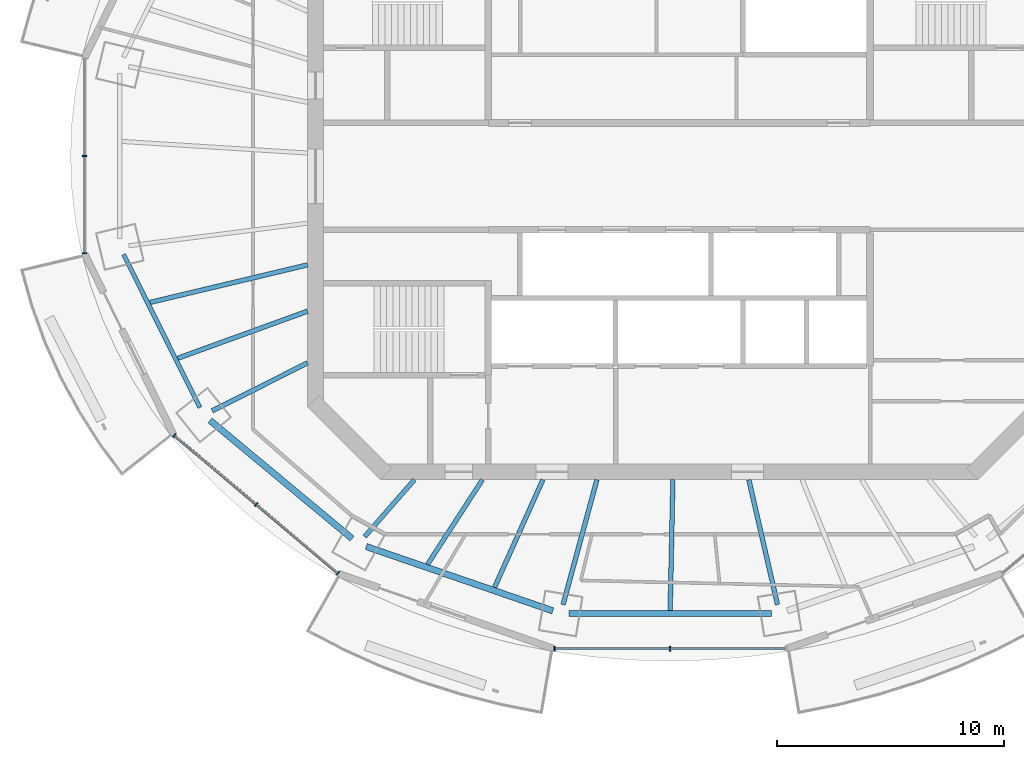
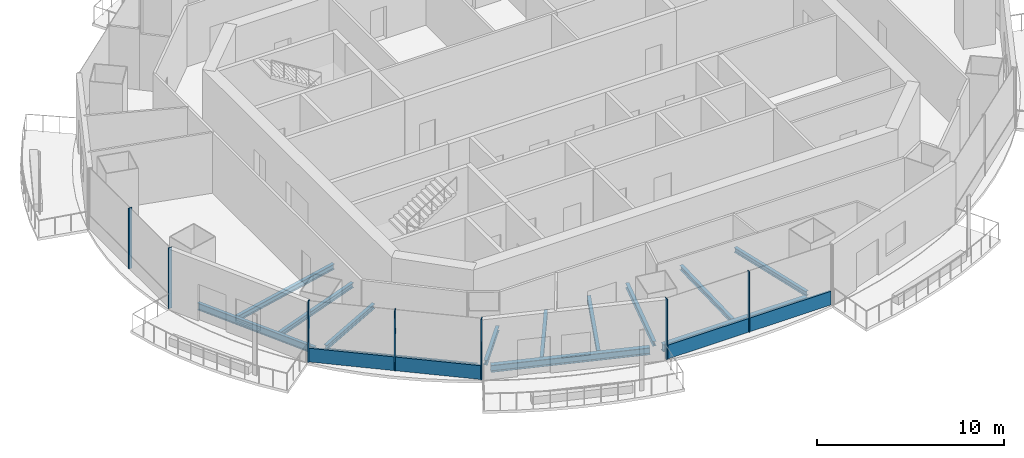
# One storey, part 2 of 16: 13 beams, 9 members, 3 elements without a shape of their own.
"""IFC4 building model written with IfcOpenShell, lengths in metres."""

from ifc_helpers import new_model, si_unit, direction, frame, origin, origin_2d, place, context, subcontext, project, spatial, rectangle, i_section, extrude, material, material_profile, profile_set, type_object, element, aggregate, save


model = new_model("IFC4")

# Units and contexts
model_context = context("Model", 3, precision=1e-05, world=origin(), true_north=direction((0.0, 1.0)))
body_context = subcontext(model_context, "Body", "Model", "MODEL_VIEW")
ifc_project = project(units=[si_unit("LENGTHUNIT", "METRE"), si_unit("AREAUNIT", "SQUARE_METRE"), si_unit("VOLUMEUNIT", "CUBIC_METRE"), si_unit("PLANEANGLEUNIT", "RADIAN"), si_unit("MASSUNIT", "GRAM", prefix="KILO")], contexts=[model_context])

# Site, building, storey
site_placement = place(None, origin())
site = spatial("IfcSite", under=ifc_project, at=site_placement, CompositionType="ELEMENT")
building_placement = place(site_placement, origin())
building = spatial("IfcBuilding", under=site, at=building_placement, Name="Marenthal Gate Tower", CompositionType="ELEMENT")
storey_placement = place(building_placement, frame((0.0, 0.0, 359.199951171875)))
storey = spatial("IfcBuildingStorey", under=building, at=storey_placement, Name="L81", CompositionType="ELEMENT", Elevation=359.199951171875)

# Curtain wall, members
ifc_material_1 = material(Name="Aluminium and glass", Category="aluminium")
curtain_wall_type = type_object("IfcCurtainWallType", Name="Curtain wall typical high", PredefinedType="NOTDEFINED", material=ifc_material_1)
curtain_wall_1_placement = place(storey_placement, origin())
curtain_wall_1 = element("IfcCurtainWall", 1, at=curtain_wall_1_placement, inside=storey, type_object=curtain_wall_type, Name="Curtain wall L81 bay 8", PredefinedType="NOTDEFINED")
ifc_material_2 = material(Name="Aluminium", Category="aluminium")
ifc_material_profile_1 = material_profile(ifc_material_2, rectangle(XDim=0.199951171875, YDim=0.06005859375, at=origin_2d()), Name="60x200 aluminium mullion")
ifc_profile_set_1 = profile_set([ifc_material_profile_1], Name="Aluminium")
member_type_1 = type_object("IfcMemberType", Name="Mullion 60x200 typical high", PredefinedType="MULLION", material=ifc_profile_set_1)
member_1_placement = place(storey_placement, frame((-26.160400390625, 0.89990234375, 0.0), z_axis=(0.0, 0.0, 1.0), x_axis=(1.0, 0.0, 0.0)))
member_1 = element("IfcMember", 2, at=member_1_placement, type_object=member_type_1, Name="Mullion L81 bay 8.2", PredefinedType="MULLION", context=body_context, shape_type="SweptSolid", body=[
    extrude(rectangle(XDim=0.199951171875, YDim=0.06005859375, at=origin_2d()), origin(), (0.0, 0.0, 1.0), 3.969970703125),
])
member_2_placement = place(storey_placement, frame((-26.160400390625, -3.383544921875, 0.0), z_axis=(0.0, 0.0, 1.0), x_axis=(1.0, 0.0, 0.0)))
member_2 = element("IfcMember", 3, at=member_2_placement, type_object=member_type_1, Name="Mullion L81 bay 8.3", PredefinedType="MULLION", context=body_context, shape_type="SweptSolid", body=[
    extrude(rectangle(XDim=0.199951171875, YDim=0.06005859375, at=origin_2d()), origin(), (0.0, 0.0, 1.0), 3.969970703125),
])
aggregate(curtain_wall_1, [member_1, member_2])

curtain_wall_2_placement = place(storey_placement, origin())
curtain_wall_2 = element("IfcCurtainWall", 4, at=curtain_wall_2_placement, inside=storey, type_object=curtain_wall_type, Name="Curtain wall L81 bay 10", PredefinedType="NOTDEFINED")
member_3_placement = place(storey_placement, frame((-22.215576171875, -11.403564453125, 0.0), z_axis=(0.0, 0.0, 1.0), x_axis=(0.644022605429, 0.765006459905, 0.0)))
member_3 = element("IfcMember", 5, at=member_3_placement, type_object=member_type_1, Name="Mullion L81 bay 10.1", PredefinedType="MULLION", context=body_context, shape_type="SweptSolid", body=[
    extrude(rectangle(XDim=0.199951171875, YDim=0.06005859375, at=origin_2d()), origin(), (0.0, 0.0, 1.0), 3.969970703125),
])
member_4_placement = place(storey_placement, frame((-18.615234375, -14.434326171875, 0.0), z_axis=(0.0, 0.0, 1.0), x_axis=(0.644022605429, 0.765006459905, 0.0)))
member_4 = element("IfcMember", 6, at=member_4_placement, type_object=member_type_1, Name="Mullion L81 bay 10.2", PredefinedType="MULLION", context=body_context, shape_type="SweptSolid", body=[
    extrude(rectangle(XDim=0.199951171875, YDim=0.06005859375, at=origin_2d()), origin(), (0.0, 0.0, 1.0), 3.969970703125),
])
member_5_placement = place(storey_placement, frame((-15.01513671875, -17.46533203125, 0.0), z_axis=(0.0, 0.0, 1.0), x_axis=(0.644022605429, 0.765006459905, 0.0)))
member_5 = element("IfcMember", 7, at=member_5_placement, type_object=member_type_1, Name="Mullion L81 bay 10.3", PredefinedType="MULLION", context=body_context, shape_type="SweptSolid", body=[
    extrude(rectangle(XDim=0.199951171875, YDim=0.06005859375, at=origin_2d()), origin(), (0.0, 0.0, 1.0), 3.969970703125),
])

curtain_wall_3_placement = place(storey_placement, origin())
curtain_wall_3 = element("IfcCurtainWall", 8, at=curtain_wall_3_placement, inside=storey, type_object=curtain_wall_type, Name="Curtain wall L81 bay 12", PredefinedType="NOTDEFINED")
member_6_placement = place(storey_placement, frame((-5.493896484375, -20.7861328125, 0.0), z_axis=(0.0, 0.0, 1.0), x_axis=(0.0, 1.0, 0.0)))
member_6 = element("IfcMember", 9, at=member_6_placement, type_object=member_type_1, Name="Mullion L81 bay 12.1", PredefinedType="MULLION", context=body_context, shape_type="SweptSolid", body=[
    extrude(rectangle(XDim=0.199951171875, YDim=0.06005859375, at=origin_2d()), origin(), (0.0, 0.0, 1.0), 3.969970703125),
])
member_7_placement = place(storey_placement, frame((-0.39990234375, -20.7861328125, 0.0), z_axis=(0.0, 0.0, 1.0), x_axis=(0.0, 1.0, 0.0)))
member_7 = element("IfcMember", 10, at=member_7_placement, type_object=member_type_1, Name="Mullion L81 bay 12.2", PredefinedType="MULLION", context=body_context, shape_type="SweptSolid", body=[
    extrude(rectangle(XDim=0.199951171875, YDim=0.06005859375, at=origin_2d()), origin(), (0.0, 0.0, 1.0), 3.969970703125),
])

# Member
ifc_material_3 = material(Name="Aluminium", Category="aluminium")
ifc_material_profile_2 = material_profile(ifc_material_3, rectangle(XDim=0.1201171875, YDim=0.89990234375, at=origin_2d()), Name="120x900 aluminium transom")
ifc_profile_set_2 = profile_set([ifc_material_profile_2], Name="Aluminium")
member_type_2 = type_object("IfcMemberType", Name="Transom 120x900 typical high", PredefinedType="USERDEFINED", material=ifc_profile_set_2)
member_8_placement = place(storey_placement, frame((-22.192626953125, -11.4228515625, 0.449951171875), z_axis=(0.764999870882, -0.644030432162, 0.0), x_axis=(0.644030432162, 0.764999870882, 0.0)))
member_8 = element("IfcMember", 11, at=member_8_placement, type_object=member_type_2, Name="Transom L81 bay 10", ObjectType="TRANSOM", PredefinedType="USERDEFINED", context=body_context, shape_type="SweptSolid", body=[
    extrude(rectangle(XDim=0.1201171875, YDim=0.89990234375, at=origin_2d()), origin(), (0.0, 0.0, 1.0), 9.352294921875),
])

aggregate(curtain_wall_2, [member_3, member_4, member_5, member_8])

member_9_placement = place(storey_placement, frame((-5.464111328125, -20.7861328125, 0.449951171875), z_axis=(1.0, 0.0, 0.0), x_axis=(0.0, 1.0, 0.0)))
member_9 = element("IfcMember", 12, at=member_9_placement, type_object=member_type_2, Name="Transom L81 bay 12", ObjectType="TRANSOM", PredefinedType="USERDEFINED", context=body_context, shape_type="SweptSolid", body=[
    extrude(rectangle(XDim=0.1201171875, YDim=0.89990234375, at=origin_2d()), origin(), (0.0, 0.0, 1.0), 10.128173828125),
])

aggregate(curtain_wall_3, [member_6, member_7, member_9])

# Beams
ifc_material_4 = material(Name="Steel S355", Category="steel")
ifc_material_profile_3 = material_profile(ifc_material_4, i_section(OverallWidth=0.202880859375, OverallDepth=0.302001953125, WebThickness=0.007568359375, FlangeThickness=0.01318359375, FilletRadius=0.0126953125, at=origin_2d()), Name="W310X60")
ifc_profile_set_3 = profile_set([ifc_material_profile_3], Name="Steel S355")
beam_type_1 = type_object("IfcBeamType", Name="W310X60 beam", PredefinedType="BEAM", material=ifc_profile_set_3)
beam_1_placement = place(storey_placement, frame((-11.06982421875, -17.072265625, -0.3310546875), z_axis=(0.544024630078, 0.839069247362, 0.0), x_axis=(-0.839069247362, 0.544024630078, 0.0)))
element("IfcBeam", 13, at=beam_1_placement, inside=storey, type_object=beam_type_1, Name="BM-L81-31", PredefinedType="BEAM", context=body_context, shape_type="SweptSolid", body=[
    extrude(i_section(OverallWidth=0.202880859375, OverallDepth=0.302001953125, WebThickness=0.007568359375, FlangeThickness=0.01318359375, FilletRadius=0.0126953125, at=origin_2d()), origin(), (0.0, 0.0, 1.0), 4.43603515625),
])
beam_2_placement = place(storey_placement, frame((-8.12451171875, -18.0869140625, -0.3310546875), z_axis=(0.409742917425, 0.912201042326, 0.0), x_axis=(-0.912201042326, 0.409742917425, 0.0)))
element("IfcBeam", 14, at=beam_2_placement, inside=storey, type_object=beam_type_1, Name="BM-L81-32", PredefinedType="BEAM", context=body_context, shape_type="SweptSolid", body=[
    extrude(i_section(OverallWidth=0.202880859375, OverallDepth=0.302001953125, WebThickness=0.007568359375, FlangeThickness=0.01318359375, FilletRadius=0.0126953125, at=origin_2d()), origin(), (0.0, 0.0, 1.0), 5.192626953125),
])
beam_3_placement = place(storey_placement, frame((-0.397216796875, -19.096923828125, -0.3310546875), z_axis=(0.020812008551, 0.999783406694, 0.0), x_axis=(-0.999783406694, 0.020812008551, 0.0)))
element("IfcBeam", 15, at=beam_3_placement, inside=storey, type_object=beam_type_1, Name="BM-L81-33", PredefinedType="BEAM", context=body_context, shape_type="SweptSolid", body=[
    extrude(i_section(OverallWidth=0.202880859375, OverallDepth=0.302001953125, WebThickness=0.007568359375, FlangeThickness=0.01318359375, FilletRadius=0.0126953125, at=origin_2d()), origin(), (0.0, 0.0, 1.0), 5.748046875),
])
ifc_material_5 = material(Name="Steel S355", Category="steel")
ifc_material_profile_4 = material_profile(ifc_material_5, i_section(OverallWidth=0.205078125, OverallDepth=0.31005859375, WebThickness=0.009521484375, FlangeThickness=0.016357421875, FilletRadius=0.0126953125, at=origin_2d()), Name="W310X74")
ifc_profile_set_4 = profile_set([ifc_material_profile_4], Name="Steel S355")
beam_type_2 = type_object("IfcBeamType", Name="W310X74 beam", PredefinedType="BEAM", material=ifc_profile_set_4)
beam_4_placement = place(storey_placement, frame((-20.549072265625, -10.317626953125, -0.3349609375), z_axis=(0.893688118434, 0.448688697173, 0.0), x_axis=(-0.448688697173, 0.893688118434, 0.0)))
element("IfcBeam", 16, at=beam_4_placement, inside=storey, type_object=beam_type_2, Name="BM-L81-10", PredefinedType="BEAM", context=body_context, shape_type="SweptSolid", body=[
    extrude(i_section(OverallWidth=0.205078125, OverallDepth=0.31005859375, WebThickness=0.009521484375, FlangeThickness=0.016357421875, FilletRadius=0.0126953125, at=origin_2d()), origin(), (0.0, 0.0, 1.0), 4.698486328125),
])
beam_5_placement = place(storey_placement, frame((-13.837890625, -15.854248046875, -0.3349609375), z_axis=(0.657594131615, 0.753372390034, 0.0), x_axis=(-0.753372390034, 0.657594131615, 0.0)))
element("IfcBeam", 17, at=beam_5_placement, inside=storey, type_object=beam_type_2, Name="BM-L81-11", PredefinedType="BEAM", context=body_context, shape_type="SweptSolid", body=[
    extrude(i_section(OverallWidth=0.205078125, OverallDepth=0.31005859375, WebThickness=0.009521484375, FlangeThickness=0.016357421875, FilletRadius=0.0126953125, at=origin_2d()), origin(), (0.0, 0.0, 1.0), 3.323974609375),
])
beam_6_placement = place(storey_placement, frame((-5.10986328125, -18.845947265625, -0.3349609375), z_axis=(0.261705893929, 0.965147670091, 0.0), x_axis=(-0.965147670091, 0.261705893929, 0.0)))
element("IfcBeam", 18, at=beam_6_placement, inside=storey, type_object=beam_type_2, Name="BM-L81-12", PredefinedType="BEAM", context=body_context, shape_type="SweptSolid", body=[
    extrude(i_section(OverallWidth=0.205078125, OverallDepth=0.31005859375, WebThickness=0.009521484375, FlangeThickness=0.016357421875, FilletRadius=0.0126953125, at=origin_2d()), origin(), (0.0, 0.0, 1.0), 5.6943359375),
])
beam_7_placement = place(storey_placement, frame((4.325927734375, -18.844970703125, -0.3349609375), z_axis=(-0.223752430236, 0.974646012644, 0.0), x_axis=(-0.974646012644, -0.223752430236, 0.0)))
element("IfcBeam", 19, at=beam_7_placement, inside=storey, type_object=beam_type_2, Name="BM-L81-13", PredefinedType="BEAM", context=body_context, shape_type="SweptSolid", body=[
    extrude(i_section(OverallWidth=0.205078125, OverallDepth=0.31005859375, WebThickness=0.009521484375, FlangeThickness=0.016357421875, FilletRadius=0.0126953125, at=origin_2d()), origin(), (0.0, 0.0, 1.0), 5.6376953125),
])
beam_8_placement = place(storey_placement, frame((-22.06298828125, -8.006591796875, -0.3349609375), z_axis=(0.940013731423, 0.341136607147, 0.0), x_axis=(-0.341136607147, 0.940013731423, 0.0)))
element("IfcBeam", 20, at=beam_8_placement, inside=storey, type_object=beam_type_2, Name="BM-L81-30", PredefinedType="BEAM", context=body_context, shape_type="SweptSolid", body=[
    extrude(i_section(OverallWidth=0.205078125, OverallDepth=0.31005859375, WebThickness=0.009521484375, FlangeThickness=0.016357421875, FilletRadius=0.0126953125, at=origin_2d()), origin(), (0.0, 0.0, 1.0), 6.077392578125),
])
ifc_material_6 = material(Name="Steel S355", Category="steel")
ifc_material_profile_5 = material_profile(ifc_material_6, i_section(OverallWidth=0.205078125, OverallDepth=0.35302734375, WebThickness=0.009521484375, FlangeThickness=0.016845703125, FilletRadius=0.014892578125, at=origin_2d()), Name="W360X79")
ifc_profile_set_5 = profile_set([ifc_material_profile_5], Name="Steel S355")
beam_type_3 = type_object("IfcBeamType", Name="W360X79 beam", PredefinedType="BEAM", material=ifc_profile_set_5)
beam_9_placement = place(storey_placement, frame((-23.28662109375, -5.5498046875, -0.3564453125), z_axis=(0.97275034875, 0.231855038777, 0.0), x_axis=(-0.231855038777, 0.97275034875, 0.0)))
element("IfcBeam", 21, at=beam_9_placement, inside=storey, type_object=beam_type_3, Name="BM-L81-29", PredefinedType="BEAM", context=body_context, shape_type="SweptSolid", body=[
    extrude(i_section(OverallWidth=0.205078125, OverallDepth=0.35302734375, WebThickness=0.009521484375, FlangeThickness=0.016845703125, FilletRadius=0.014892578125, at=origin_2d()), origin(), (0.0, 0.0, 1.0), 7.130859375),
])
ifc_material_7 = material(Name="Steel S355", Category="steel")
ifc_material_profile_6 = material_profile(ifc_material_7, i_section(OverallWidth=0.279052734375, OverallDepth=0.4619140625, WebThickness=0.0107421875, FlangeThickness=0.017333984375, FilletRadius=0.010009765625, at=origin_2d()), Name="W460X113")
ifc_profile_set_6 = profile_set([ifc_material_profile_6], Name="Steel S355")
beam_type_4 = type_object("IfcBeamType", Name="W460X113 beam", PredefinedType="BEAM", material=ifc_profile_set_6)
beam_10_placement = place(storey_placement, frame((-20.642333984375, -10.7412109375, -0.410888671875), z_axis=(0.768814455902, -0.639471916816, 0.0), x_axis=(0.639471916816, 0.768814455902, 0.0)))
element("IfcBeam", 22, at=beam_10_placement, inside=storey, type_object=beam_type_4, Name="BM-L81-48", PredefinedType="BEAM", context=body_context, shape_type="SweptSolid", body=[
    extrude(i_section(OverallWidth=0.279052734375, OverallDepth=0.4619140625, WebThickness=0.0107421875, FlangeThickness=0.017333984375, FilletRadius=0.010009765625, at=origin_2d()), origin(), (0.0, 0.0, 1.0), 8.1259765625),
])
beam_11_placement = place(storey_placement, frame((-13.770751953125, -16.289306640625, -0.410888671875), z_axis=(0.945465237287, -0.325723018964, 0.0), x_axis=(0.325723018964, 0.945465237287, 0.0)))
element("IfcBeam", 23, at=beam_11_placement, inside=storey, type_object=beam_type_4, Name="BM-L81-49", PredefinedType="BEAM", context=body_context, shape_type="SweptSolid", body=[
    extrude(i_section(OverallWidth=0.279052734375, OverallDepth=0.4619140625, WebThickness=0.0107421875, FlangeThickness=0.017333984375, FilletRadius=0.010009765625, at=origin_2d()), origin(), (0.0, 0.0, 1.0), 8.686279296875),
])
beam_12_placement = place(storey_placement, frame((-4.854248046875, -19.236572265625, -0.410888671875), z_axis=(1.0, 0.0, 0.0), x_axis=(0.0, 1.0, 0.0)))
element("IfcBeam", 24, at=beam_12_placement, inside=storey, type_object=beam_type_4, Name="BM-L81-50", PredefinedType="BEAM", context=body_context, shape_type="SweptSolid", body=[
    extrude(i_section(OverallWidth=0.279052734375, OverallDepth=0.4619140625, WebThickness=0.0107421875, FlangeThickness=0.017333984375, FilletRadius=0.010009765625, at=origin_2d()), origin(), (0.0, 0.0, 1.0), 8.908447265625),
])
ifc_material_8 = material(Name="Steel S355", Category="steel")
ifc_material_profile_7 = material_profile(ifc_material_8, i_section(OverallWidth=0.19091796875, OverallDepth=0.45703125, WebThickness=0.009033203125, FlangeThickness=0.014404296875, FilletRadius=0.01025390625, at=origin_2d()), Name="W460X74")
ifc_profile_set_7 = profile_set([ifc_material_profile_7], Name="Steel S355")
beam_type_5 = type_object("IfcBeamType", Name="W460X74 beam", PredefinedType="BEAM", material=ifc_profile_set_7)
beam_13_placement = place(storey_placement, frame((-24.444580078125, -3.438720703125, -0.408447265625), z_axis=(0.445798626481, -0.895133277578, 0.0), x_axis=(0.895133277578, 0.445798626481, 0.0)))
element("IfcBeam", 25, at=beam_13_placement, inside=storey, type_object=beam_type_5, Name="BM-L81-47", PredefinedType="BEAM", context=body_context, shape_type="SweptSolid", body=[
    extrude(i_section(OverallWidth=0.19091796875, OverallDepth=0.45703125, WebThickness=0.009033203125, FlangeThickness=0.014404296875, FilletRadius=0.01025390625, at=origin_2d()), origin(), (0.0, 0.0, 1.0), 7.52587890625),
])

save(model, "model.ifc")
